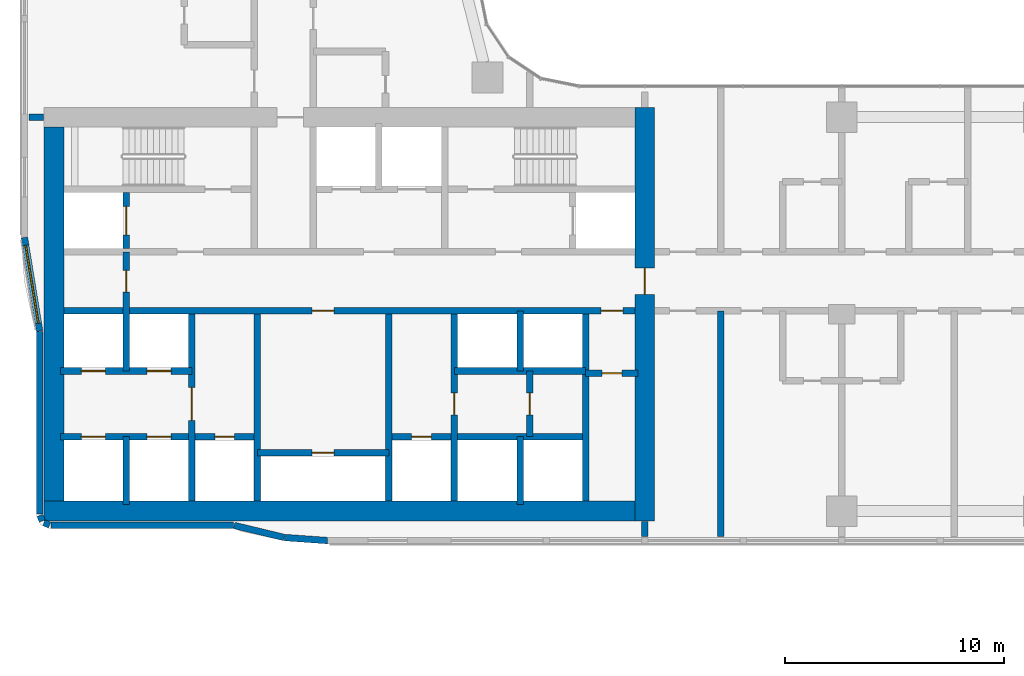
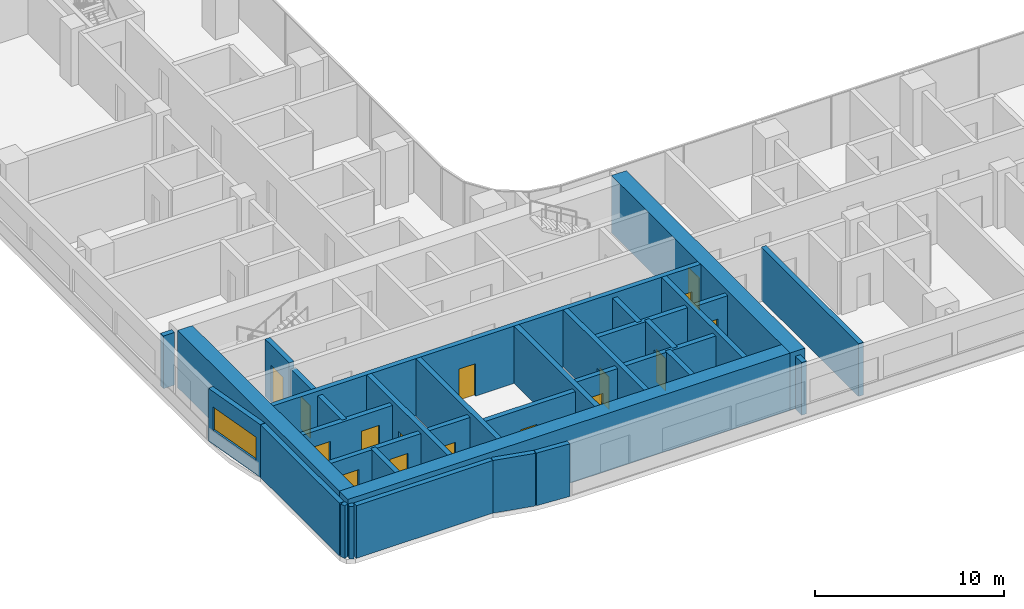
# One storey, part 16 of 33: 31 walls, 16 doors, 1 window, 17 openings.
"""IFC4 building model written with IfcOpenShell, lengths in metres."""

from ifc_helpers import new_model, si_unit, direction, frame, frame_2d, origin, place, context, subcontext, project, spatial, rectangle, extrude, material, layer, layer_set, type_object, element, fill, save


model = new_model("IFC4")

# Units and contexts
model_context = context("Model", 3, precision=1e-05, world=origin(), true_north=direction((0.0, 1.0)))
body_context = subcontext(model_context, "Body", "Model", "MODEL_VIEW")
ifc_project = project(units=[si_unit("LENGTHUNIT", "METRE"), si_unit("AREAUNIT", "SQUARE_METRE"), si_unit("VOLUMEUNIT", "CUBIC_METRE"), si_unit("PLANEANGLEUNIT", "RADIAN"), si_unit("MASSUNIT", "GRAM", prefix="KILO")], contexts=[model_context])

# Site, building, storey
site_placement = place(None, origin())
site = spatial("IfcSite", under=ifc_project, at=site_placement, CompositionType="ELEMENT")
building_placement = place(site_placement, origin())
building = spatial("IfcBuilding", under=site, at=building_placement, Name="Ogive Portal Towers", CompositionType="ELEMENT")
storey_placement = place(building_placement, frame((0.0, 0.0, 77.89990234375)))
storey = spatial("IfcBuildingStorey", under=building, at=storey_placement, Name="L18", CompositionType="ELEMENT", Elevation=77.89990234375)

# Wall, opening, door
ifc_material_1 = material(Name="Concrete C60/75", Category="concrete")
ifc_layer_1 = layer(ifc_material_1, 0.300048828125)
ifc_layer_set_1 = layer_set([ifc_layer_1], Name="CORE WALL 300 C60")
wall_type_1 = type_object("IfcWallType", Name="CORE WALL 300 C60", PredefinedType="SHEAR", material=ifc_layer_set_1)
wall_1_placement = place(storey_placement, frame((37.800048828125, 21.949951171875, 0.0), z_axis=(0.0, 0.0, 1.0), x_axis=(0.0, 1.0, 0.0)))
wall_1 = element("IfcWall", 1, at=wall_1_placement, inside=storey, type_object=wall_type_1, Name="Core wall X1 L18", PredefinedType="SHEAR", context=body_context, shape_type="SweptSolid", body=[
    extrude(rectangle(XDim=8.550048828125, YDim=0.300048828125, at=frame_2d((4.27490234375, 0.0))), origin(), (0.0, 0.0, 1.0), 3.7001953125),
])
opening_1_placement = place(wall_1_placement, frame((3.699951171875, 0.0, 0.0)))
opening_1 = element("IfcOpeningElement", 2, at=opening_1_placement, cuts=wall_1, Name="Opening D05-001", PredefinedType="OPENING", context=body_context, shape_type="SweptSolid", body=[
    extrude(rectangle(XDim=1.5, YDim=2.10009765625, at=frame_2d((0.75, 1.050048828125))), frame((0.0, 0.16015625, 0.0), z_axis=(0.0, -1.0, 0.0), x_axis=(1.0, 0.0, 0.0)), (0.0, 0.0, 1.0), 0.320068359375),
])
ifc_material_2 = material(Name="Steel fire door", Category="steel")
door_type_1 = type_object("IfcDoorType", Name="DT-SWING-1500x2100-FD90S", OperationType="SINGLE_SWING_LEFT", PredefinedType="DOOR", material=ifc_material_2)
door_1_placement = place(opening_1_placement, origin())
door_1 = element("IfcDoor", 3, at=door_1_placement, inside=storey, type_object=door_type_1, Name="Door D05-001", OperationType="SINGLE_SWING_LEFT", OverallHeight=2.10009765625, OverallWidth=1.5, PredefinedType="DOOR", context=body_context, shape_type="SweptSolid", body=[
    extrude(rectangle(XDim=1.5, YDim=2.10009765625, at=frame_2d((0.75, 1.050048828125))), frame((0.0, 0.02490234375, 0.0), z_axis=(0.0, -1.0, 0.0), x_axis=(1.0, 0.0, 0.0)), (0.0, 0.0, 1.0), 0.050048828125),
])
fill(opening_1, door_1)

# Walls
for number, where, z_axis, x_axis, name in (
    (4, (40.800048828125, 21.949951171875, 0.0), (0.0, 0.0, 1.0), (0.0, 1.0, 0.0), "Core wall X2 L18"),
    (5, (46.800048828125, 21.949951171875, 0.0), (0.0, 0.0, 1.0), (0.0, 1.0, 0.0), "Core wall X3 L18"),
):
    element("IfcWall", number, at=place(storey_placement, frame(where, z_axis=z_axis, x_axis=x_axis)), inside=storey, type_object=wall_type_1, Name=name, PredefinedType="SHEAR", context=body_context, shape_type="SweptSolid", body=[
        extrude(rectangle(XDim=8.550048828125, YDim=0.300048828125, at=frame_2d((4.27490234375, 0.0))), origin(), (0.0, 0.0, 1.0), 3.7001953125),
    ])

# Wall, opening, door
wall_2_placement = place(storey_placement, frame((49.800048828125, 21.949951171875, 0.0), z_axis=(0.0, 0.0, 1.0), x_axis=(0.0, 1.0, 0.0)))
wall_2 = element("IfcWall", 6, at=wall_2_placement, inside=storey, type_object=wall_type_1, Name="Core wall X4 L18", PredefinedType="SHEAR", context=body_context, shape_type="SweptSolid", body=[
    extrude(rectangle(XDim=8.550048828125, YDim=0.300048828125, at=frame_2d((4.27490234375, 0.0))), origin(), (0.0, 0.0, 1.0), 3.7001953125),
])
opening_2_placement = place(wall_2_placement, frame((3.949951171875, 0.0, 0.0)))
opening_2 = element("IfcOpeningElement", 7, at=opening_2_placement, cuts=wall_2, Name="Opening D05-023", PredefinedType="OPENING", context=body_context, shape_type="SweptSolid", body=[
    extrude(rectangle(XDim=1.0, YDim=2.10009765625, at=frame_2d((0.5, 1.050048828125))), frame((0.0, 0.16015625, 0.0), z_axis=(0.0, -1.0, 0.0), x_axis=(1.0, 0.0, 0.0)), (0.0, 0.0, 1.0), 0.320068359375),
])
door_type_2 = type_object("IfcDoorType", Name="DT-SWING-1000x2100-FD90S", OperationType="SINGLE_SWING_LEFT", PredefinedType="DOOR", material=ifc_material_2)
door_2_placement = place(opening_2_placement, origin())
door_2 = element("IfcDoor", 8, at=door_2_placement, inside=storey, type_object=door_type_2, Name="Door D05-023", OperationType="SINGLE_SWING_LEFT", OverallHeight=2.10009765625, OverallWidth=1.0, PredefinedType="DOOR", context=body_context, shape_type="SweptSolid", body=[
    extrude(rectangle(XDim=1.0, YDim=2.10009765625, at=frame_2d((0.5, 1.050048828125))), frame((0.0, 0.02490234375, 0.0), z_axis=(0.0, -1.0, 0.0), x_axis=(1.0, 0.0, 0.0)), (0.0, 0.0, 1.0), 0.050048828125),
])
fill(opening_2, door_2)

# Wall
wall_3_placement = place(storey_placement, frame((55.800048828125, 21.949951171875, 0.0), z_axis=(0.0, 0.0, 1.0), x_axis=(0.0, 1.0, 0.0)))
element("IfcWall", 9, at=wall_3_placement, inside=storey, type_object=wall_type_1, Name="Core wall X5 L18", PredefinedType="SHEAR", context=body_context, shape_type="SweptSolid", body=[
    extrude(rectangle(XDim=8.550048828125, YDim=0.300048828125, at=frame_2d((4.27490234375, 0.0))), origin(), (0.0, 0.0, 1.0), 3.7001953125),
])

# Wall, openings, doors
wall_4_placement = place(storey_placement, frame((31.949951171875, 30.64990234375, 0.0), z_axis=(0.0, 0.0, 1.0), x_axis=(1.0, 0.0, 0.0)))
wall_4 = element("IfcWall", 10, at=wall_4_placement, inside=storey, type_object=wall_type_1, Name="Core wall Y1 L18", PredefinedType="SHEAR", context=body_context, shape_type="SweptSolid", body=[
    extrude(rectangle(XDim=26.10009765625, YDim=0.300048828125, at=frame_2d((13.050048828125, 0.0))), origin(), (0.0, 0.0, 1.0), 3.7001953125),
])
opening_3_placement = place(wall_4_placement, frame((24.550048828125, 0.0, 0.0)))
opening_3 = element("IfcOpeningElement", 11, at=opening_3_placement, cuts=wall_4, Name="Opening D05-009", PredefinedType="OPENING", context=body_context, shape_type="SweptSolid", body=[
    extrude(rectangle(XDim=1.0, YDim=2.10009765625, at=frame_2d((0.5, 1.050048828125))), frame((0.0, 0.16015625, 0.0), z_axis=(0.0, -1.0, 0.0), x_axis=(1.0, 0.0, 0.0)), (0.0, 0.0, 1.0), 0.320068359375),
])
opening_4_placement = place(wall_4_placement, frame((11.35009765625, 0.0, 0.0)))
opening_4 = element("IfcOpeningElement", 12, at=opening_4_placement, cuts=wall_4, Name="Opening D05-021", PredefinedType="OPENING", context=body_context, shape_type="SweptSolid", body=[
    extrude(rectangle(XDim=1.0, YDim=2.10009765625, at=frame_2d((0.5, 1.050048828125))), frame((0.0, 0.16015625, 0.0), z_axis=(0.0, -1.0, 0.0), x_axis=(1.0, 0.0, 0.0)), (0.0, 0.0, 1.0), 0.320068359375),
])
door_3_placement = place(opening_3_placement, origin())
door_3 = element("IfcDoor", 13, at=door_3_placement, inside=storey, type_object=door_type_2, Name="Door D05-009", OperationType="SINGLE_SWING_LEFT", OverallHeight=2.10009765625, OverallWidth=1.0, PredefinedType="DOOR", context=body_context, shape_type="SweptSolid", body=[
    extrude(rectangle(XDim=1.0, YDim=2.10009765625, at=frame_2d((0.5, 1.050048828125))), frame((0.0, 0.02490234375, 0.0), z_axis=(0.0, -1.0, 0.0), x_axis=(1.0, 0.0, 0.0)), (0.0, 0.0, 1.0), 0.050048828125),
])
fill(opening_3, door_3)
door_4_placement = place(opening_4_placement, origin())
door_4 = element("IfcDoor", 14, at=door_4_placement, inside=storey, type_object=door_type_2, Name="Door D05-021", OperationType="SINGLE_SWING_LEFT", OverallHeight=2.10009765625, OverallWidth=1.0, PredefinedType="DOOR", context=body_context, shape_type="SweptSolid", body=[
    extrude(rectangle(XDim=1.0, YDim=2.10009765625, at=frame_2d((0.5, 1.050048828125))), frame((0.0, 0.02490234375, 0.0), z_axis=(0.0, -1.0, 0.0), x_axis=(1.0, 0.0, 0.0)), (0.0, 0.0, 1.0), 0.050048828125),
])
fill(opening_4, door_4)

# Wall, opening, door
wall_5_placement = place(storey_placement, frame((34.800048828125, 33.5, 0.0), z_axis=(0.0, 0.0, 1.0), x_axis=(0.0, 1.0, 0.0)))
wall_5 = element("IfcWall", 15, at=wall_5_placement, inside=storey, type_object=wall_type_1, Name="Core wall X8 L18", PredefinedType="SHEAR", context=body_context, shape_type="SweptSolid", body=[
    extrude(rectangle(XDim=2.550048828125, YDim=0.300048828125, at=frame_2d((1.27490234375, 0.0))), origin(), (0.0, 0.0, 1.0), 3.7001953125),
])
opening_5_placement = place(wall_5_placement, frame((0.625, 0.0, 0.0)))
opening_5 = element("IfcOpeningElement", 16, at=opening_5_placement, cuts=wall_5, Name="Opening D05-019", PredefinedType="OPENING", context=body_context, shape_type="SweptSolid", body=[
    extrude(rectangle(XDim=1.300048828125, YDim=2.39990234375, at=frame_2d((0.64990234375, 1.199951171875))), frame((0.0, 0.16015625, 0.0), z_axis=(0.0, -1.0, 0.0), x_axis=(1.0, 0.0, 0.0)), (0.0, 0.0, 1.0), 0.320068359375),
])
ifc_material_3 = material(Name="Stainless steel", Category="steel")
door_type_3 = type_object("IfcDoorType", Name="DT-LD-1300x2400", OperationType="SLIDING_TO_LEFT", PredefinedType="DOOR", material=ifc_material_3)
door_5_placement = place(opening_5_placement, origin())
door_5 = element("IfcDoor", 17, at=door_5_placement, inside=storey, type_object=door_type_3, Name="Door D05-019", OperationType="SLIDING_TO_LEFT", OverallHeight=2.39990234375, OverallWidth=1.300048828125, PredefinedType="DOOR", context=body_context, shape_type="SweptSolid", body=[
    extrude(rectangle(XDim=1.300048828125, YDim=2.39990234375, at=frame_2d((0.64990234375, 1.199951171875))), frame((0.0, 0.02490234375, 0.0), z_axis=(0.0, -1.0, 0.0), x_axis=(1.0, 0.0, 0.0)), (0.0, 0.0, 1.0), 0.050048828125),
])
fill(opening_5, door_5)

# Walls
ifc_layer_2 = layer(ifc_material_1, 0.89990234375)
ifc_layer_set_2 = layer_set([ifc_layer_2], Name="CORE WALL 900 C60")
wall_type_2 = type_object("IfcWallType", Name="CORE WALL 900 C60", PredefinedType="SHEAR", material=ifc_layer_set_2)
wall_6_placement = place(storey_placement, frame((31.5, 21.949951171875, 0.0), z_axis=(0.0, 0.0, 1.0), x_axis=(0.0, 1.0, 0.0)))
element("IfcWall", 18, at=wall_6_placement, inside=storey, type_object=wall_type_2, Name="Core wall W L18", PredefinedType="SHEAR", context=body_context, shape_type="SweptSolid", body=[
    extrude(rectangle(XDim=17.10009765625, YDim=0.89990234375, at=frame_2d((8.550048828125, 0.0))), origin(), (0.0, 0.0, 1.0), 3.7001953125),
])
wall_7_placement = place(storey_placement, frame((31.050048828125, 21.5, 0.0), z_axis=(0.0, 0.0, 1.0), x_axis=(1.0, 0.0, 0.0)))
element("IfcWall", 19, at=wall_7_placement, inside=storey, type_object=wall_type_2, Name="Core wall S L18", PredefinedType="SHEAR", context=body_context, shape_type="SweptSolid", body=[
    extrude(rectangle(XDim=27.0, YDim=0.89990234375, at=frame_2d((13.5, 0.0))), origin(), (0.0, 0.0, 1.0), 3.7001953125),
])

# Wall, opening, door
wall_8_placement = place(storey_placement, frame((58.5, 21.050048828125, 0.0), z_axis=(0.0, 0.0, 1.0), x_axis=(0.0, 1.0, 0.0)))
wall_8 = element("IfcWall", 20, at=wall_8_placement, inside=storey, type_object=wall_type_2, Name="Core wall E L18", PredefinedType="SHEAR", context=body_context, shape_type="SweptSolid", body=[
    extrude(rectangle(XDim=18.89990234375, YDim=0.89990234375, at=frame_2d((9.449951171875, 0.0))), origin(), (0.0, 0.0, 1.0), 3.7001953125),
])
opening_6_placement = place(wall_8_placement, frame((10.35009765625, 0.0, 0.0)))
opening_6 = element("IfcOpeningElement", 21, at=opening_6_placement, cuts=wall_8, Name="Opening D05-011", PredefinedType="OPENING", context=body_context, shape_type="SweptSolid", body=[
    extrude(rectangle(XDim=1.199951171875, YDim=2.10009765625, at=frame_2d((0.60009765625, 1.050048828125))), frame((0.0, 0.4599609375, 0.0), z_axis=(0.0, -1.0, 0.0), x_axis=(1.0, 0.0, 0.0)), (0.0, 0.0, 1.0), 0.919921875),
])
door_type_4 = type_object("IfcDoorType", Name="DT-SWING-1200x2100-FD90S", OperationType="SINGLE_SWING_LEFT", PredefinedType="DOOR", material=ifc_material_2)
door_6_placement = place(opening_6_placement, origin())
door_6 = element("IfcDoor", 22, at=door_6_placement, inside=storey, type_object=door_type_4, Name="Door D05-011", OperationType="SINGLE_SWING_LEFT", OverallHeight=2.10009765625, OverallWidth=1.199951171875, PredefinedType="DOOR", context=body_context, shape_type="SweptSolid", body=[
    extrude(rectangle(XDim=1.199951171875, YDim=2.10009765625, at=frame_2d((0.60009765625, 1.050048828125))), frame((0.0, 0.02490234375, 0.0), z_axis=(0.0, -1.0, 0.0), x_axis=(1.0, 0.0, 0.0)), (0.0, 0.0, 1.0), 0.050048828125),
])
fill(opening_6, door_6)

# Walls
ifc_material_4 = material(Name="Limestone cladding on lightweight block wall", Category="masonry")
ifc_layer_3 = layer(ifc_material_4, 0.300048828125)
ifc_layer_set_3 = layer_set([ifc_layer_3], Name="EXTERNAL WALL 300 STONE")
wall_type_3 = type_object("IfcWallType", Name="EXTERNAL WALL 300 STONE", PredefinedType="SOLIDWALL", material=ifc_layer_set_3)
wall_9_placement = place(storey_placement, frame((30.85009765625, 29.699462890625, 0.0), z_axis=(0.0, 0.0, 1.0), x_axis=(0.0, -1.0, 0.0)))
element("IfcWall", 23, at=wall_9_placement, inside=storey, type_object=wall_type_3, Name="A:L18:f00:r0:wall", PredefinedType="SOLIDWALL", context=body_context, shape_type="SweptSolid", body=[
    extrude(rectangle(XDim=8.33984375, YDim=0.300048828125, at=frame_2d((4.169921875, 0.0))), origin(), (0.0, 0.0, 1.0), 3.400146484375),
])
for number, where, z_axis, x_axis, name in (
    (24, (30.861328125, 21.30224609375, 0.0), (0.0, 0.0, 1.0), (0.38297812142, -0.923757413239, 0.0), "A:L18:f01:r0:wall"),
    (25, (31.0478515625, 20.966796875, 0.0), (0.0, 0.0, 1.0), (0.923757413239, -0.38297812142, 0.0), "A:L18:f02:r0:wall"),
):
    element("IfcWall", number, at=place(storey_placement, frame(where, z_axis=z_axis, x_axis=x_axis)), inside=storey, type_object=wall_type_3, Name=name, PredefinedType="SOLIDWALL", context=body_context, shape_type="SweptSolid", body=[
        extrude(rectangle(XDim=0.275390625, YDim=0.300048828125, at=frame_2d((0.1376953125, 0.0))), origin(), (0.0, 0.0, 1.0), 3.400146484375),
    ])
wall_10_placement = place(storey_placement, frame((31.359619140625, 20.85009765625, 0.0), z_axis=(0.0, 0.0, 1.0), x_axis=(1.0, 0.0, 0.0)))
element("IfcWall", 26, at=wall_10_placement, inside=storey, type_object=wall_type_3, Name="A:L18:f03:r0:wall", PredefinedType="SOLIDWALL", context=body_context, shape_type="SweptSolid", body=[
    extrude(rectangle(XDim=8.33984375, YDim=0.300048828125, at=frame_2d((4.169921875, 0.0))), origin(), (0.0, 0.0, 1.0), 3.400146484375),
])
wall_11_placement = place(storey_placement, frame((39.734619140625, 20.845703125, 0.0), z_axis=(0.0, 0.0, 1.0), x_axis=(0.97206095595, -0.234728562212, 0.0)))
element("IfcWall", 27, at=wall_11_placement, inside=storey, type_object=wall_type_3, Name="A:L18:f04:r0:wall", PredefinedType="SOLIDWALL", context=body_context, shape_type="SweptSolid", body=[
    extrude(rectangle(XDim=2.349609375, YDim=0.300048828125, at=frame_2d((1.1748046875, 0.0))), origin(), (0.0, 0.0, 1.0), 3.400146484375),
])
wall_12_placement = place(storey_placement, frame((42.043212890625, 20.290283203125, 0.0), z_axis=(0.0, 0.0, 1.0), x_axis=(0.997454275884, -0.071308958214, 0.0)))
element("IfcWall", 28, at=wall_12_placement, inside=storey, type_object=wall_type_3, Name="A:L18:f05:r0:wall", PredefinedType="SOLIDWALL", context=body_context, shape_type="SweptSolid", body=[
    extrude(rectangle(XDim=1.961669921875, YDim=0.300048828125, at=frame_2d((0.98095703125, 0.0))), origin(), (0.0, 0.0, 1.0), 3.400146484375),
])

# Wall, opening, window
wall_13_placement = place(storey_placement, frame((30.15185546875, 34.000244140625, 0.0), z_axis=(0.0, 0.0, 1.0), x_axis=(0.160697303067, -0.987003736967, 0.0)))
wall_13 = element("IfcWall", 29, at=wall_13_placement, inside=storey, type_object=wall_type_3, Name="A:L18:f25:r0:wall", PredefinedType="SOLIDWALL", context=body_context, shape_type="SweptSolid", body=[
    extrude(rectangle(XDim=4.3330078125, YDim=0.300048828125, at=frame_2d((2.16650390625, 0.0))), origin(), (0.0, 0.0, 1.0), 3.400146484375),
])
opening_7_placement = place(wall_13_placement, frame((0.366455078125, 0.0, 0.89990234375)))
opening_7 = element("IfcOpeningElement", 30, at=opening_7_placement, cuts=wall_13, Name="Opening WN12", PredefinedType="OPENING", context=body_context, shape_type="SweptSolid", body=[
    extrude(rectangle(XDim=3.60009765625, YDim=1.5, at=frame_2d((1.800048828125, 0.75))), frame((0.0, 0.16015625, 0.0), z_axis=(0.0, -1.0, 0.0), x_axis=(1.0, 0.0, 0.0)), (0.0, 0.0, 1.0), 0.320068359375),
])
ifc_material_5 = material(Name="Glass, clear low-iron insulated glazing", Category="glass")
window_type = type_object("IfcWindowType", Name="WINDOW RIBBON 3600x1500", PartitioningType="TRIPLE_PANEL_VERTICAL", PredefinedType="WINDOW", material=ifc_material_5)
window_placement = place(opening_7_placement, origin())
window = element("IfcWindow", 31, at=window_placement, inside=storey, type_object=window_type, Name="A:L18:f25:r0:w0", OverallHeight=1.5, OverallWidth=3.60009765625, PartitioningType="SINGLE_PANEL", PredefinedType="WINDOW", context=body_context, shape_type="SweptSolid", body=[
    extrude(rectangle(XDim=3.60009765625, YDim=1.5, at=frame_2d((1.800048828125, 0.75))), frame((0.0, 0.030029296875, 0.0), z_axis=(0.0, -1.0, 0.0), x_axis=(1.0, 0.0, 0.0)), (0.0, 0.0, 1.0), 0.06005859375),
])
fill(opening_7, window)

# Wall, opening, door
ifc_material_6 = material(Name="Gypsum board partition on steel studs", Category="steel")
ifc_layer_4 = layer(ifc_material_6, 0.300048828125)
ifc_layer_set_4 = layer_set([ifc_layer_4], Name="WT-PART-300")
wall_type_4 = type_object("IfcWallType", Name="WT-PART-300", PredefinedType="PARTITIONING", material=ifc_layer_set_4)
wall_14_placement = place(storey_placement, frame((40.800048828125, 24.173095703125, 0.0), z_axis=(0.0, 0.0, 1.0), x_axis=(1.0, 0.0, 0.0)))
wall_14 = element("IfcWall", 32, at=wall_14_placement, inside=storey, type_object=wall_type_4, Name="Wall pw:001:L18", PredefinedType="PARTITIONING", context=body_context, shape_type="SweptSolid", body=[
    extrude(rectangle(XDim=6.0, YDim=0.300048828125, at=frame_2d((3.0, 0.0))), origin(), (0.0, 0.0, 1.0), 3.400146484375),
])
opening_8_placement = place(wall_14_placement, frame((2.5, 0.0, 0.0)))
opening_8 = element("IfcOpeningElement", 33, at=opening_8_placement, cuts=wall_14, Name="Opening D05-022", PredefinedType="OPENING", context=body_context, shape_type="SweptSolid", body=[
    extrude(rectangle(XDim=1.0, YDim=2.10009765625, at=frame_2d((0.5, 1.050048828125))), frame((0.0, 0.16015625, 0.0), z_axis=(0.0, -1.0, 0.0), x_axis=(1.0, 0.0, 0.0)), (0.0, 0.0, 1.0), 0.320068359375),
])
door_type_5 = type_object("IfcDoorType", Name="DT-SWING-1000x2100-FD60S", OperationType="SINGLE_SWING_LEFT", PredefinedType="DOOR", material=ifc_material_2)
door_7_placement = place(opening_8_placement, origin())
door_7 = element("IfcDoor", 34, at=door_7_placement, inside=storey, type_object=door_type_5, Name="Riser access door D05-022", OperationType="SINGLE_SWING_RIGHT", OverallHeight=2.10009765625, OverallWidth=1.0, PredefinedType="DOOR", context=body_context, shape_type="SweptSolid", body=[
    extrude(rectangle(XDim=1.0, YDim=2.10009765625, at=frame_2d((0.5, 1.050048828125))), frame((0.0, 0.02490234375, 0.0), z_axis=(0.0, -1.0, 0.0), x_axis=(1.0, 0.0, 0.0)), (0.0, 0.0, 1.0), 0.050048828125),
])
fill(opening_8, door_7)

wall_15_placement = place(storey_placement, frame((55.800048828125, 27.800048828125, 0.0), z_axis=(0.0, 0.0, 1.0), x_axis=(1.0, 0.0, 0.0)))
wall_15 = element("IfcWall", 35, at=wall_15_placement, inside=storey, type_object=wall_type_4, Name="Wall pw:004:L18", PredefinedType="PARTITIONING", context=body_context, shape_type="SweptSolid", body=[
    extrude(rectangle(XDim=2.39990234375, YDim=0.300048828125, at=frame_2d((1.199951171875, 0.0))), origin(), (0.0, 0.0, 1.0), 3.400146484375),
])
opening_9_placement = place(wall_15_placement, frame((0.75, 0.0, 0.0)))
opening_9 = element("IfcOpeningElement", 36, at=opening_9_placement, cuts=wall_15, Name="Opening D05-010", PredefinedType="OPENING", context=body_context, shape_type="SweptSolid", body=[
    extrude(rectangle(XDim=0.89990234375, YDim=2.10009765625, at=frame_2d((0.449951171875, 1.050048828125))), frame((0.0, 0.16015625, 0.0), z_axis=(0.0, -1.0, 0.0), x_axis=(1.0, 0.0, 0.0)), (0.0, 0.0, 1.0), 0.320068359375),
])
door_type_6 = type_object("IfcDoorType", Name="DT-SWING-900x2100-FD60S", OperationType="SINGLE_SWING_LEFT", PredefinedType="DOOR", material=ifc_material_2)
door_8_placement = place(opening_9_placement, origin())
door_8 = element("IfcDoor", 37, at=door_8_placement, inside=storey, type_object=door_type_6, Name="Door D05-010", OperationType="SINGLE_SWING_RIGHT", OverallHeight=2.10009765625, OverallWidth=0.89990234375, PredefinedType="DOOR", context=body_context, shape_type="SweptSolid", body=[
    extrude(rectangle(XDim=0.89990234375, YDim=2.10009765625, at=frame_2d((0.449951171875, 1.050048828125))), frame((0.0, 0.02490234375, 0.0), z_axis=(0.0, -1.0, 0.0), x_axis=(1.0, 0.0, 0.0)), (0.0, 0.0, 1.0), 0.050048828125),
])
fill(opening_9, door_8)

# Walls
ifc_layer_5 = layer(ifc_material_6, 0.300048828125)
ifc_layer_set_5 = layer_set([ifc_layer_5], Name="WT-PART-300-EI 60")
wall_type_5 = type_object("IfcWallType", Name="WT-PART-300-EI 60", PredefinedType="PARTITIONING", material=ifc_layer_set_5)
for number, where, z_axis, x_axis, name in (
    (38, (30.35009765625, 39.5, 0.0), (0.0, 0.0, 1.0), (1.0, 0.0, 0.0), "Wall L18:w012"),
    (39, (58.5, 20.35009765625, 0.0), (0.0, 0.0, 1.0), (0.0, 1.0, 0.0), "Wall L18:w043"),
):
    element("IfcWall", number, at=place(storey_placement, frame(where, z_axis=z_axis, x_axis=x_axis)), inside=storey, type_object=wall_type_5, Name=name, PredefinedType="PARTITIONING", context=body_context, shape_type="SweptSolid", body=[
        extrude(rectangle(XDim=0.679931640625, YDim=0.300048828125, at=frame_2d((0.33984375, 0.0))), origin(), (0.0, 0.0, 1.0), 3.400146484375),
    ])
wall_16_placement = place(storey_placement, frame((61.969970703125, 20.35009765625, 0.0), z_axis=(0.0, 0.0, 1.0), x_axis=(0.0, 1.0, 0.0)))
element("IfcWall", 40, at=wall_16_placement, inside=storey, type_object=wall_type_5, Name="Wall L18:w045", PredefinedType="PARTITIONING", context=body_context, shape_type="SweptSolid", body=[
    extrude(rectangle(XDim=10.2998046875, YDim=0.300048828125, at=frame_2d((5.14990234375, 0.0))), origin(), (0.0, 0.0, 1.0), 3.400146484375),
])

# Wall, openings, doors
ifc_material_7 = material(Name="Concrete C40/50", Category="concrete")
ifc_layer_6 = layer(ifc_material_7, 0.300048828125)
ifc_layer_set_6 = layer_set([ifc_layer_6], Name="WT-SHAFT-300")
wall_type_6 = type_object("IfcWallType", Name="WT-SHAFT-300", PredefinedType="SOLIDWALL", material=ifc_layer_set_6)
wall_17_placement = place(storey_placement, frame((31.800048828125, 24.89990234375, 0.0), z_axis=(0.0, 0.0, 1.0), x_axis=(1.0, 0.0, 0.0)))
wall_17 = element("IfcWall", 41, at=wall_17_placement, inside=storey, type_object=wall_type_6, Name="Wall pw:002:L18", PredefinedType="SOLIDWALL", context=body_context, shape_type="SweptSolid", body=[
    extrude(rectangle(XDim=9.0, YDim=0.300048828125, at=frame_2d((4.5, 0.0))), origin(), (0.0, 0.0, 1.0), 3.400146484375),
])
opening_10_placement = place(wall_17_placement, frame((7.050048828125, 0.0, 0.0)))
opening_10 = element("IfcOpeningElement", 42, at=opening_10_placement, cuts=wall_17, Name="Opening D05-007", PredefinedType="OPENING", context=body_context, shape_type="SweptSolid", body=[
    extrude(rectangle(XDim=0.89990234375, YDim=2.10009765625, at=frame_2d((0.449951171875, 1.050048828125))), frame((0.0, 0.16015625, 0.0), z_axis=(0.0, -1.0, 0.0), x_axis=(1.0, 0.0, 0.0)), (0.0, 0.0, 1.0), 0.320068359375),
])
opening_11_placement = place(wall_17_placement, frame((0.949951171875, 0.0, 0.0)))
opening_11 = element("IfcOpeningElement", 43, at=opening_11_placement, cuts=wall_17, Name="Opening D05-013", PredefinedType="OPENING", context=body_context, shape_type="SweptSolid", body=[
    extrude(rectangle(XDim=1.10009765625, YDim=2.39990234375, at=frame_2d((0.550048828125, 1.199951171875))), frame((0.0, 0.16015625, 0.0), z_axis=(0.0, -1.0, 0.0), x_axis=(1.0, 0.0, 0.0)), (0.0, 0.0, 1.0), 0.320068359375),
])
opening_12_placement = place(wall_17_placement, frame((3.949951171875, 0.0, 0.0)))
opening_12 = element("IfcOpeningElement", 44, at=opening_12_placement, cuts=wall_17, Name="Opening D05-014", PredefinedType="OPENING", context=body_context, shape_type="SweptSolid", body=[
    extrude(rectangle(XDim=1.10009765625, YDim=2.39990234375, at=frame_2d((0.550048828125, 1.199951171875))), frame((0.0, 0.16015625, 0.0), z_axis=(0.0, -1.0, 0.0), x_axis=(1.0, 0.0, 0.0)), (0.0, 0.0, 1.0), 0.320068359375),
])
door_type_7 = type_object("IfcDoorType", Name="DT-LD-1100x2400", OperationType="SLIDING_TO_LEFT", PredefinedType="DOOR", material=ifc_material_3)
door_9_placement = place(opening_11_placement, origin())
door_9 = element("IfcDoor", 45, at=door_9_placement, inside=storey, type_object=door_type_7, Name="Door D05-013", OperationType="SLIDING_TO_LEFT", OverallHeight=2.39990234375, OverallWidth=1.10009765625, PredefinedType="DOOR", context=body_context, shape_type="SweptSolid", body=[
    extrude(rectangle(XDim=1.10009765625, YDim=2.39990234375, at=frame_2d((0.550048828125, 1.199951171875))), frame((0.0, 0.02490234375, 0.0), z_axis=(0.0, -1.0, 0.0), x_axis=(1.0, 0.0, 0.0)), (0.0, 0.0, 1.0), 0.050048828125),
])
fill(opening_11, door_9)
door_10_placement = place(opening_12_placement, origin())
door_10 = element("IfcDoor", 46, at=door_10_placement, inside=storey, type_object=door_type_7, Name="Door D05-014", OperationType="SLIDING_TO_LEFT", OverallHeight=2.39990234375, OverallWidth=1.10009765625, PredefinedType="DOOR", context=body_context, shape_type="SweptSolid", body=[
    extrude(rectangle(XDim=1.10009765625, YDim=2.39990234375, at=frame_2d((0.550048828125, 1.199951171875))), frame((0.0, 0.02490234375, 0.0), z_axis=(0.0, -1.0, 0.0), x_axis=(1.0, 0.0, 0.0)), (0.0, 0.0, 1.0), 0.050048828125),
])
fill(opening_12, door_10)
door_type_8 = type_object("IfcDoorType", Name="DT-SWING-900x2100-FD90S", OperationType="SINGLE_SWING_LEFT", PredefinedType="DOOR", material=ifc_material_2)
door_11_placement = place(opening_10_placement, origin())
door_11 = element("IfcDoor", 47, at=door_11_placement, inside=storey, type_object=door_type_8, Name="Riser access door D05-007", OperationType="SINGLE_SWING_LEFT", OverallHeight=2.10009765625, OverallWidth=0.89990234375, PredefinedType="DOOR", context=body_context, shape_type="SweptSolid", body=[
    extrude(rectangle(XDim=0.89990234375, YDim=2.10009765625, at=frame_2d((0.449951171875, 1.050048828125))), frame((0.0, 0.02490234375, 0.0), z_axis=(0.0, -1.0, 0.0), x_axis=(1.0, 0.0, 0.0)), (0.0, 0.0, 1.0), 0.050048828125),
])
fill(opening_10, door_11)

# Wall, opening, door
wall_18_placement = place(storey_placement, frame((46.800048828125, 24.89990234375, 0.0), z_axis=(0.0, 0.0, 1.0), x_axis=(1.0, 0.0, 0.0)))
wall_18 = element("IfcWall", 48, at=wall_18_placement, inside=storey, type_object=wall_type_6, Name="Wall pw:003:L18", PredefinedType="SOLIDWALL", context=body_context, shape_type="SweptSolid", body=[
    extrude(rectangle(XDim=9.0, YDim=0.300048828125, at=frame_2d((4.5, 0.0))), origin(), (0.0, 0.0, 1.0), 3.400146484375),
])
opening_13_placement = place(wall_18_placement, frame((1.050048828125, 0.0, 0.0)))
opening_13 = element("IfcOpeningElement", 49, at=opening_13_placement, cuts=wall_18, Name="Opening D05-008", PredefinedType="OPENING", context=body_context, shape_type="SweptSolid", body=[
    extrude(rectangle(XDim=0.89990234375, YDim=2.10009765625, at=frame_2d((0.449951171875, 1.050048828125))), frame((0.0, 0.16015625, 0.0), z_axis=(0.0, -1.0, 0.0), x_axis=(1.0, 0.0, 0.0)), (0.0, 0.0, 1.0), 0.320068359375),
])
door_12_placement = place(opening_13_placement, origin())
door_12 = element("IfcDoor", 50, at=door_12_placement, inside=storey, type_object=door_type_8, Name="Riser access door D05-008", OperationType="SINGLE_SWING_RIGHT", OverallHeight=2.10009765625, OverallWidth=0.89990234375, PredefinedType="DOOR", context=body_context, shape_type="SweptSolid", body=[
    extrude(rectangle(XDim=0.89990234375, YDim=2.10009765625, at=frame_2d((0.449951171875, 1.050048828125))), frame((0.0, 0.02490234375, 0.0), z_axis=(0.0, -1.0, 0.0), x_axis=(1.0, 0.0, 0.0)), (0.0, 0.0, 1.0), 0.050048828125),
])
fill(opening_13, door_12)

# Wall, openings, doors
wall_19_placement = place(storey_placement, frame((31.800048828125, 27.89990234375, 0.0), z_axis=(0.0, 0.0, 1.0), x_axis=(1.0, 0.0, 0.0)))
wall_19 = element("IfcWall", 51, at=wall_19_placement, inside=storey, type_object=wall_type_6, Name="Wall pw:005:L18", PredefinedType="SOLIDWALL", context=body_context, shape_type="SweptSolid", body=[
    extrude(rectangle(XDim=6.0, YDim=0.300048828125, at=frame_2d((3.0, 0.0))), origin(), (0.0, 0.0, 1.0), 3.400146484375),
])
opening_14_placement = place(wall_19_placement, frame((0.949951171875, 0.0, 0.0)))
opening_14 = element("IfcOpeningElement", 52, at=opening_14_placement, cuts=wall_19, Name="Opening D05-015", PredefinedType="OPENING", context=body_context, shape_type="SweptSolid", body=[
    extrude(rectangle(XDim=1.10009765625, YDim=2.39990234375, at=frame_2d((0.550048828125, 1.199951171875))), frame((0.0, 0.16015625, 0.0), z_axis=(0.0, -1.0, 0.0), x_axis=(1.0, 0.0, 0.0)), (0.0, 0.0, 1.0), 0.320068359375),
])
opening_15_placement = place(wall_19_placement, frame((3.949951171875, 0.0, 0.0)))
opening_15 = element("IfcOpeningElement", 53, at=opening_15_placement, cuts=wall_19, Name="Opening D05-016", PredefinedType="OPENING", context=body_context, shape_type="SweptSolid", body=[
    extrude(rectangle(XDim=1.10009765625, YDim=2.39990234375, at=frame_2d((0.550048828125, 1.199951171875))), frame((0.0, 0.16015625, 0.0), z_axis=(0.0, -1.0, 0.0), x_axis=(1.0, 0.0, 0.0)), (0.0, 0.0, 1.0), 0.320068359375),
])
door_13_placement = place(opening_14_placement, origin())
door_13 = element("IfcDoor", 54, at=door_13_placement, inside=storey, type_object=door_type_7, Name="Door D05-015", OperationType="SLIDING_TO_LEFT", OverallHeight=2.39990234375, OverallWidth=1.10009765625, PredefinedType="DOOR", context=body_context, shape_type="SweptSolid", body=[
    extrude(rectangle(XDim=1.10009765625, YDim=2.39990234375, at=frame_2d((0.550048828125, 1.199951171875))), frame((0.0, 0.02490234375, 0.0), z_axis=(0.0, -1.0, 0.0), x_axis=(1.0, 0.0, 0.0)), (0.0, 0.0, 1.0), 0.050048828125),
])
fill(opening_14, door_13)
door_14_placement = place(opening_15_placement, origin())
door_14 = element("IfcDoor", 55, at=door_14_placement, inside=storey, type_object=door_type_7, Name="Door D05-016", OperationType="SLIDING_TO_LEFT", OverallHeight=2.39990234375, OverallWidth=1.10009765625, PredefinedType="DOOR", context=body_context, shape_type="SweptSolid", body=[
    extrude(rectangle(XDim=1.10009765625, YDim=2.39990234375, at=frame_2d((0.550048828125, 1.199951171875))), frame((0.0, 0.02490234375, 0.0), z_axis=(0.0, -1.0, 0.0), x_axis=(1.0, 0.0, 0.0)), (0.0, 0.0, 1.0), 0.050048828125),
])
fill(opening_15, door_14)

# Walls
wall_20_placement = place(storey_placement, frame((49.800048828125, 27.89990234375, 0.0), z_axis=(0.0, 0.0, 1.0), x_axis=(1.0, 0.0, 0.0)))
element("IfcWall", 56, at=wall_20_placement, inside=storey, type_object=wall_type_6, Name="Wall pw:006:L18", PredefinedType="SOLIDWALL", context=body_context, shape_type="SweptSolid", body=[
    extrude(rectangle(XDim=6.0, YDim=0.300048828125, at=frame_2d((3.0, 0.0))), origin(), (0.0, 0.0, 1.0), 3.400146484375),
])
wall_21_placement = place(storey_placement, frame((34.800048828125, 21.800048828125, 0.0), z_axis=(0.0, 0.0, 1.0), x_axis=(0.0, 1.0, 0.0)))
element("IfcWall", 57, at=wall_21_placement, inside=storey, type_object=wall_type_6, Name="Wall pw:007:L18", PredefinedType="SOLIDWALL", context=body_context, shape_type="SweptSolid", body=[
    extrude(rectangle(XDim=3.099853515625, YDim=0.300048828125, at=frame_2d((1.5498046875, 0.0))), origin(), (0.0, 0.0, 1.0), 3.400146484375),
])

# Wall, opening, door
wall_22_placement = place(storey_placement, frame((34.800048828125, 27.89990234375, 0.0), z_axis=(0.0, 0.0, 1.0), x_axis=(0.0, 1.0, 0.0)))
wall_22 = element("IfcWall", 58, at=wall_22_placement, inside=storey, type_object=wall_type_6, Name="Wall pw:008:L18", PredefinedType="SOLIDWALL", context=body_context, shape_type="SweptSolid", body=[
    extrude(rectangle(XDim=5.4501953125, YDim=0.300048828125, at=frame_2d((2.72509765625, 0.0))), origin(), (0.0, 0.0, 1.0), 3.400146484375),
])
opening_16_placement = place(wall_22_placement, frame((3.60009765625, 0.0, 0.0)))
opening_16 = element("IfcOpeningElement", 59, at=opening_16_placement, cuts=wall_22, Name="Opening D05-025", PredefinedType="OPENING", context=body_context, shape_type="SweptSolid", body=[
    extrude(rectangle(XDim=1.0, YDim=2.10009765625, at=frame_2d((0.5, 1.050048828125))), frame((0.0, 0.16015625, 0.0), z_axis=(0.0, -1.0, 0.0), x_axis=(1.0, 0.0, 0.0)), (0.0, 0.0, 1.0), 0.320068359375),
])
door_15_placement = place(opening_16_placement, origin())
door_15 = element("IfcDoor", 60, at=door_15_placement, inside=storey, type_object=door_type_2, Name="Door D05-025", OperationType="SINGLE_SWING_LEFT", OverallHeight=2.10009765625, OverallWidth=1.0, PredefinedType="DOOR", context=body_context, shape_type="SweptSolid", body=[
    extrude(rectangle(XDim=1.0, YDim=2.10009765625, at=frame_2d((0.5, 1.050048828125))), frame((0.0, 0.02490234375, 0.0), z_axis=(0.0, -1.0, 0.0), x_axis=(1.0, 0.0, 0.0)), (0.0, 0.0, 1.0), 0.050048828125),
])
fill(opening_16, door_15)

# Walls
wall_23_placement = place(storey_placement, frame((52.800048828125, 21.800048828125, 0.0), z_axis=(0.0, 0.0, 1.0), x_axis=(0.0, 1.0, 0.0)))
element("IfcWall", 61, at=wall_23_placement, inside=storey, type_object=wall_type_6, Name="Wall pw:010:L18", PredefinedType="SOLIDWALL", context=body_context, shape_type="SweptSolid", body=[
    extrude(rectangle(XDim=3.099853515625, YDim=0.300048828125, at=frame_2d((1.5498046875, 0.0))), origin(), (0.0, 0.0, 1.0), 3.400146484375),
])
wall_24_placement = place(storey_placement, frame((52.800048828125, 27.89990234375, 0.0), z_axis=(0.0, 0.0, 1.0), x_axis=(0.0, 1.0, 0.0)))
element("IfcWall", 62, at=wall_24_placement, inside=storey, type_object=wall_type_6, Name="Wall pw:011:L18", PredefinedType="SOLIDWALL", context=body_context, shape_type="SweptSolid", body=[
    extrude(rectangle(XDim=2.75, YDim=0.300048828125, at=frame_2d((1.375, 0.0))), origin(), (0.0, 0.0, 1.0), 3.400146484375),
])

# Wall, opening, door
wall_25_placement = place(storey_placement, frame((53.25, 24.89990234375, 0.0), z_axis=(0.0, 0.0, 1.0), x_axis=(0.0, 1.0, 0.0)))
wall_25 = element("IfcWall", 63, at=wall_25_placement, inside=storey, type_object=wall_type_6, Name="Wall pw:012:L18", PredefinedType="SOLIDWALL", context=body_context, shape_type="SweptSolid", body=[
    extrude(rectangle(XDim=3.0, YDim=0.300048828125, at=frame_2d((1.5, 0.0))), origin(), (0.0, 0.0, 1.0), 3.400146484375),
])
opening_17_placement = place(wall_25_placement, frame((1.0, 0.0, 0.0)))
opening_17 = element("IfcOpeningElement", 64, at=opening_17_placement, cuts=wall_25, Name="Opening D05-024", PredefinedType="OPENING", context=body_context, shape_type="SweptSolid", body=[
    extrude(rectangle(XDim=1.0, YDim=2.10009765625, at=frame_2d((0.5, 1.050048828125))), frame((0.0, 0.16015625, 0.0), z_axis=(0.0, -1.0, 0.0), x_axis=(1.0, 0.0, 0.0)), (0.0, 0.0, 1.0), 0.320068359375),
])
door_16_placement = place(opening_17_placement, origin())
door_16 = element("IfcDoor", 65, at=door_16_placement, inside=storey, type_object=door_type_2, Name="Door D05-024", OperationType="SINGLE_SWING_RIGHT", OverallHeight=2.10009765625, OverallWidth=1.0, PredefinedType="DOOR", context=body_context, shape_type="SweptSolid", body=[
    extrude(rectangle(XDim=1.0, YDim=2.10009765625, at=frame_2d((0.5, 1.050048828125))), frame((0.0, 0.02490234375, 0.0), z_axis=(0.0, -1.0, 0.0), x_axis=(1.0, 0.0, 0.0)), (0.0, 0.0, 1.0), 0.050048828125),
])
fill(opening_17, door_16)

save(model, "model.ifc")
